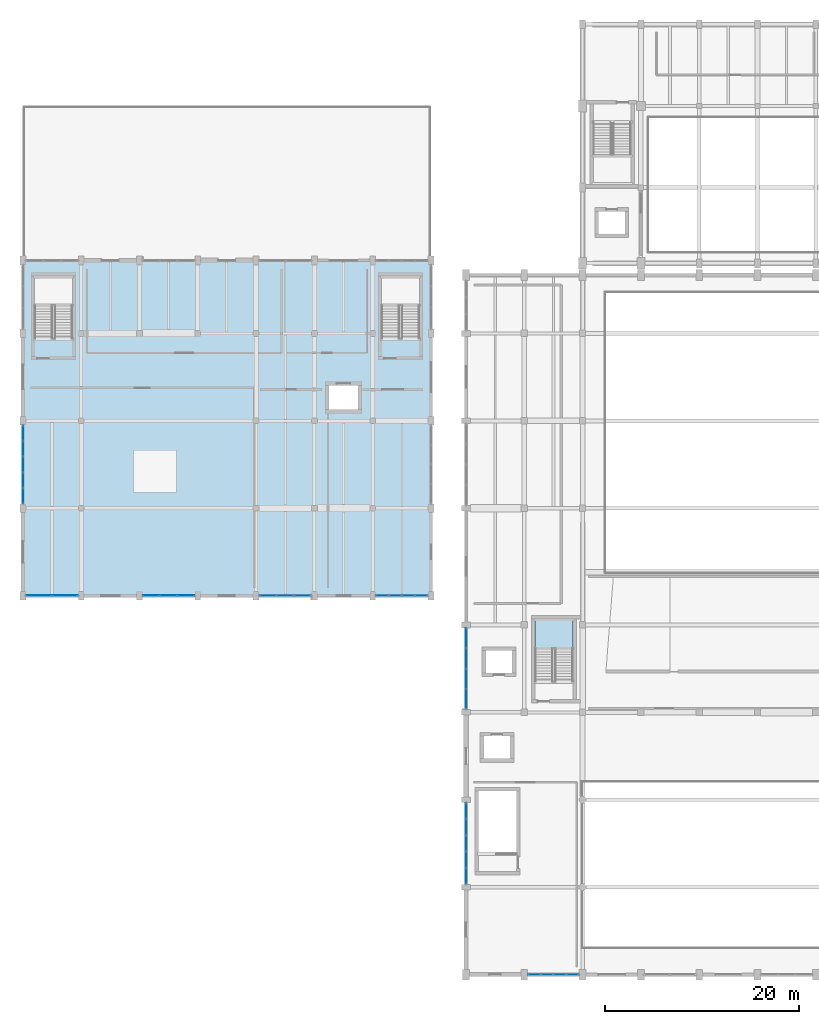
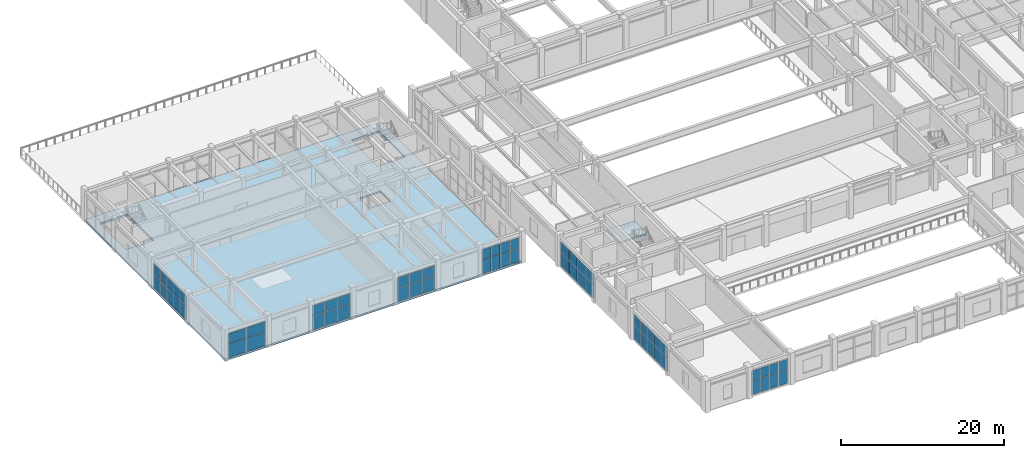
# One storey, part 51 of 80: 60 plates, 2 slabs, 9 elements without a shape of their own.
"""IFC4 building model written with IfcOpenShell, lengths in metres."""

from ifc_helpers import new_model, si_unit, direction, frame, origin, origin_2d, place, context, subcontext, project, spatial, polyline, rectangle, outline, extrude, material, layer, layer_set, type_object, element, aggregate, save


model = new_model("IFC4")

# Units and contexts
model_context = context("Model", 3, precision=1e-05, world=origin(), true_north=direction((0.0, 1.0)))
body_context = subcontext(model_context, "Body", "Model", "MODEL_VIEW")
ifc_project = project(units=[si_unit("LENGTHUNIT", "METRE"), si_unit("AREAUNIT", "SQUARE_METRE"), si_unit("VOLUMEUNIT", "CUBIC_METRE"), si_unit("PLANEANGLEUNIT", "RADIAN"), si_unit("MASSUNIT", "GRAM", prefix="KILO")], contexts=[model_context])

# Site, building, storey
site_placement = place(None, origin())
site = spatial("IfcSite", under=ifc_project, at=site_placement, CompositionType="ELEMENT")
building_placement = place(site_placement, origin())
building = spatial("IfcBuilding", under=site, at=building_placement, Name="Vaelkrest Opera House", CompositionType="ELEMENT")
storey_placement = place(building_placement, frame((0.0, 0.0, 15.0)))
storey = spatial("IfcBuildingStorey", under=building, at=storey_placement, Name="L03", CompositionType="ELEMENT", Elevation=15.0)

# Curtain wall, plates
ifc_material_1 = material(Name="Dark bronze anodized aluminium", Category="aluminium")
ifc_layer_1 = layer(ifc_material_1, 0.18994140625)
ifc_layer_set_1 = layer_set([ifc_layer_1], Name="Dark bronze anodized aluminium")
curtain_wall_type_1 = type_object("IfcCurtainWallType", Name="CW02", PredefinedType="NOTDEFINED", material=ifc_layer_set_1)
curtain_wall_1_placement = place(storey_placement, origin())
curtain_wall_1 = element("IfcCurtainWall", 1, at=curtain_wall_1_placement, inside=storey, type_object=curtain_wall_type_1, Name="Curtain wall CW-L03-046", PredefinedType="NOTDEFINED")
ifc_material_2 = material(Name="Double low-E insulated glazing", Category="glass")
ifc_layer_2 = layer(ifc_material_2, 0.030029296875)
ifc_layer_set_2 = layer_set([ifc_layer_2], Name="Double low-E insulated glazing")
plate_type_1 = type_object("IfcPlateType", Name="CWP02", PredefinedType="CURTAIN_PANEL", material=ifc_layer_set_2)
plate_1_placement = place(storey_placement, frame((-19.028564453125, -55.800048828125, 0.070068359375), z_axis=(0.0, 0.0, 1.0), x_axis=(-1.0, 0.0, 0.0)))
plate_1 = element("IfcPlate", 2, at=plate_1_placement, type_object=plate_type_1, Name="CW02 panel 1.1", PredefinedType="CURTAIN_PANEL", context=body_context, shape_type="SweptSolid", body=[
    extrude(rectangle(XDim=1.220947265625, YDim=0.030029296875, at=origin_2d()), origin(), (0.0, 0.0, 1.0), 2.044921875),
])
plate_2_placement = place(storey_placement, frame((-19.028564453125, -55.800048828125, 2.18505859375), z_axis=(0.0, 0.0, 1.0), x_axis=(-1.0, 0.0, 0.0)))
plate_2 = element("IfcPlate", 3, at=plate_2_placement, type_object=plate_type_1, Name="CW02 panel 1.2", PredefinedType="CURTAIN_PANEL", context=body_context, shape_type="SweptSolid", body=[
    extrude(rectangle(XDim=1.220947265625, YDim=0.030029296875, at=origin_2d()), origin(), (0.0, 0.0, 1.0), 1.489990234375),
])
plate_3_placement = place(storey_placement, frame((-20.3369140625, -55.800048828125, 0.070068359375), z_axis=(0.0, 0.0, 1.0), x_axis=(-1.0, 0.0, 0.0)))
plate_3 = element("IfcPlate", 4, at=plate_3_placement, type_object=plate_type_1, Name="CW02 panel 2.1", PredefinedType="CURTAIN_PANEL", context=body_context, shape_type="SweptSolid", body=[
    extrude(rectangle(XDim=1.256103515625, YDim=0.030029296875, at=origin_2d()), origin(), (0.0, 0.0, 1.0), 2.044921875),
])
plate_4_placement = place(storey_placement, frame((-20.3369140625, -55.800048828125, 2.18505859375), z_axis=(0.0, 0.0, 1.0), x_axis=(-1.0, 0.0, 0.0)))
plate_4 = element("IfcPlate", 5, at=plate_4_placement, type_object=plate_type_1, Name="CW02 panel 2.2", PredefinedType="CURTAIN_PANEL", context=body_context, shape_type="SweptSolid", body=[
    extrude(rectangle(XDim=1.256103515625, YDim=0.030029296875, at=origin_2d()), origin(), (0.0, 0.0, 1.0), 1.489990234375),
])
plate_5_placement = place(storey_placement, frame((-21.6630859375, -55.800048828125, 0.070068359375), z_axis=(0.0, 0.0, 1.0), x_axis=(-1.0, 0.0, 0.0)))
plate_5 = element("IfcPlate", 6, at=plate_5_placement, type_object=plate_type_1, Name="CW02 panel 3.1", PredefinedType="CURTAIN_PANEL", context=body_context, shape_type="SweptSolid", body=[
    extrude(rectangle(XDim=1.256103515625, YDim=0.030029296875, at=origin_2d()), origin(), (0.0, 0.0, 1.0), 2.044921875),
])
plate_6_placement = place(storey_placement, frame((-21.6630859375, -55.800048828125, 2.18505859375), z_axis=(0.0, 0.0, 1.0), x_axis=(-1.0, 0.0, 0.0)))
plate_6 = element("IfcPlate", 7, at=plate_6_placement, type_object=plate_type_1, Name="CW02 panel 3.2", PredefinedType="CURTAIN_PANEL", context=body_context, shape_type="SweptSolid", body=[
    extrude(rectangle(XDim=1.256103515625, YDim=0.030029296875, at=origin_2d()), origin(), (0.0, 0.0, 1.0), 1.489990234375),
])
plate_7_placement = place(storey_placement, frame((-22.971435546875, -55.800048828125, 0.070068359375), z_axis=(0.0, 0.0, 1.0), x_axis=(-1.0, 0.0, 0.0)))
plate_7 = element("IfcPlate", 8, at=plate_7_placement, type_object=plate_type_1, Name="CW02 panel 4.1", PredefinedType="CURTAIN_PANEL", context=body_context, shape_type="SweptSolid", body=[
    extrude(rectangle(XDim=1.220947265625, YDim=0.030029296875, at=origin_2d()), origin(), (0.0, 0.0, 1.0), 2.044921875),
])
plate_8_placement = place(storey_placement, frame((-22.971435546875, -55.800048828125, 2.18505859375), z_axis=(0.0, 0.0, 1.0), x_axis=(-1.0, 0.0, 0.0)))
plate_8 = element("IfcPlate", 9, at=plate_8_placement, type_object=plate_type_1, Name="CW02 panel 4.2", PredefinedType="CURTAIN_PANEL", context=body_context, shape_type="SweptSolid", body=[
    extrude(rectangle(XDim=1.220947265625, YDim=0.030029296875, at=origin_2d()), origin(), (0.0, 0.0, 1.0), 1.489990234375),
])
aggregate(curtain_wall_1, [plate_1, plate_2, plate_3, plate_4, plate_5, plate_6, plate_7, plate_8])

curtain_wall_2_placement = place(storey_placement, origin())
curtain_wall_2 = element("IfcCurtainWall", 10, at=curtain_wall_2_placement, inside=storey, type_object=curtain_wall_type_1, Name="Curtain wall CW-L03-125", PredefinedType="NOTDEFINED")
plate_9_placement = place(storey_placement, frame((-34.591064453125, -16.800048828125, 0.070068359375), z_axis=(0.0, 0.0, 1.0), x_axis=(-1.0, 0.0, 0.0)))
plate_9 = element("IfcPlate", 11, at=plate_9_placement, type_object=plate_type_1, Name="CW02 panel 1.1", PredefinedType="CURTAIN_PANEL", context=body_context, shape_type="SweptSolid", body=[
    extrude(rectangle(XDim=1.24609375, YDim=0.030029296875, at=origin_2d()), origin(), (0.0, 0.0, 1.0), 2.044921875),
])
plate_10_placement = place(storey_placement, frame((-34.591064453125, -16.800048828125, 2.18505859375), z_axis=(0.0, 0.0, 1.0), x_axis=(-1.0, 0.0, 0.0)))
plate_10 = element("IfcPlate", 12, at=plate_10_placement, type_object=plate_type_1, Name="CW02 panel 1.2", PredefinedType="CURTAIN_PANEL", context=body_context, shape_type="SweptSolid", body=[
    extrude(rectangle(XDim=1.24609375, YDim=0.030029296875, at=origin_2d()), origin(), (0.0, 0.0, 1.0), 1.489990234375),
])
plate_11_placement = place(storey_placement, frame((-35.924560546875, -16.800048828125, 0.070068359375), z_axis=(0.0, 0.0, 1.0), x_axis=(-1.0, 0.0, 0.0)))
plate_11 = element("IfcPlate", 13, at=plate_11_placement, type_object=plate_type_1, Name="CW02 panel 2.1", PredefinedType="CURTAIN_PANEL", context=body_context, shape_type="SweptSolid", body=[
    extrude(rectangle(XDim=1.281005859375, YDim=0.030029296875, at=origin_2d()), origin(), (0.0, 0.0, 1.0), 2.044921875),
])
plate_12_placement = place(storey_placement, frame((-35.924560546875, -16.800048828125, 2.18505859375), z_axis=(0.0, 0.0, 1.0), x_axis=(-1.0, 0.0, 0.0)))
plate_12 = element("IfcPlate", 14, at=plate_12_placement, type_object=plate_type_1, Name="CW02 panel 2.2", PredefinedType="CURTAIN_PANEL", context=body_context, shape_type="SweptSolid", body=[
    extrude(rectangle(XDim=1.281005859375, YDim=0.030029296875, at=origin_2d()), origin(), (0.0, 0.0, 1.0), 1.489990234375),
])
plate_13_placement = place(storey_placement, frame((-37.275390625, -16.800048828125, 0.070068359375), z_axis=(0.0, 0.0, 1.0), x_axis=(-1.0, 0.0, 0.0)))
plate_13 = element("IfcPlate", 15, at=plate_13_placement, type_object=plate_type_1, Name="CW02 panel 3.1", PredefinedType="CURTAIN_PANEL", context=body_context, shape_type="SweptSolid", body=[
    extrude(rectangle(XDim=1.281005859375, YDim=0.030029296875, at=origin_2d()), origin(), (0.0, 0.0, 1.0), 2.044921875),
])
plate_14_placement = place(storey_placement, frame((-37.275390625, -16.800048828125, 2.18505859375), z_axis=(0.0, 0.0, 1.0), x_axis=(-1.0, 0.0, 0.0)))
plate_14 = element("IfcPlate", 16, at=plate_14_placement, type_object=plate_type_1, Name="CW02 panel 3.2", PredefinedType="CURTAIN_PANEL", context=body_context, shape_type="SweptSolid", body=[
    extrude(rectangle(XDim=1.281005859375, YDim=0.030029296875, at=origin_2d()), origin(), (0.0, 0.0, 1.0), 1.489990234375),
])
plate_15_placement = place(storey_placement, frame((-38.60888671875, -16.800048828125, 0.070068359375), z_axis=(0.0, 0.0, 1.0), x_axis=(-1.0, 0.0, 0.0)))
plate_15 = element("IfcPlate", 17, at=plate_15_placement, type_object=plate_type_1, Name="CW02 panel 4.1", PredefinedType="CURTAIN_PANEL", context=body_context, shape_type="SweptSolid", body=[
    extrude(rectangle(XDim=1.24609375, YDim=0.030029296875, at=origin_2d()), origin(), (0.0, 0.0, 1.0), 2.044921875),
])
plate_16_placement = place(storey_placement, frame((-38.60888671875, -16.800048828125, 2.18505859375), z_axis=(0.0, 0.0, 1.0), x_axis=(-1.0, 0.0, 0.0)))
plate_16 = element("IfcPlate", 18, at=plate_16_placement, type_object=plate_type_1, Name="CW02 panel 4.2", PredefinedType="CURTAIN_PANEL", context=body_context, shape_type="SweptSolid", body=[
    extrude(rectangle(XDim=1.24609375, YDim=0.030029296875, at=origin_2d()), origin(), (0.0, 0.0, 1.0), 1.489990234375),
])
aggregate(curtain_wall_2, [plate_9, plate_10, plate_11, plate_12, plate_13, plate_14, plate_15, plate_16])

ifc_layer_3 = layer(ifc_material_1, 0.2099609375)
ifc_layer_set_3 = layer_set([ifc_layer_3], Name="Dark bronze anodized aluminium")
curtain_wall_type_2 = type_object("IfcCurtainWallType", Name="CW04", PredefinedType="NOTDEFINED", material=ifc_layer_set_3)
curtain_wall_3_placement = place(storey_placement, origin())
curtain_wall_3 = element("IfcCurtainWall", 19, at=curtain_wall_3_placement, inside=storey, type_object=curtain_wall_type_2, Name="Curtain wall CW-L03-047", PredefinedType="NOTDEFINED")
ifc_layer_4 = layer(ifc_material_2, 0.0380859375)
ifc_layer_set_4 = layer_set([ifc_layer_4], Name="Double low-E insulated glazing")
plate_type_2 = type_object("IfcPlateType", Name="CWP04", PredefinedType="CURTAIN_PANEL", material=ifc_layer_set_4)
plate_17_placement = place(storey_placement, frame((-30.0, -45.6416015625, 0.080078125), z_axis=(0.0, 0.0, 1.0), x_axis=(0.0, 1.0, 0.0)))
plate_17 = element("IfcPlate", 20, at=plate_17_placement, type_object=plate_type_2, Name="CW04 panel 1.1", PredefinedType="CURTAIN_PANEL", context=body_context, shape_type="SweptSolid", body=[
    extrude(rectangle(XDim=1.560791015625, YDim=0.0380859375, at=origin_2d()), origin(), (0.0, 0.0, 1.0), 2.030029296875),
])
plate_18_placement = place(storey_placement, frame((-30.0, -45.6416015625, 2.18994140625), z_axis=(0.0, 0.0, 1.0), x_axis=(0.0, 1.0, 0.0)))
plate_18 = element("IfcPlate", 21, at=plate_18_placement, type_object=plate_type_2, Name="CW04 panel 1.2", PredefinedType="CURTAIN_PANEL", context=body_context, shape_type="SweptSolid", body=[
    extrude(rectangle(XDim=1.560791015625, YDim=0.0380859375, at=origin_2d()), origin(), (0.0, 0.0, 1.0), 1.55908203125),
])
plate_19_placement = place(storey_placement, frame((-30.0, -43.980712890625, 0.080078125), z_axis=(0.0, 0.0, 1.0), x_axis=(0.0, 1.0, 0.0)))
plate_19 = element("IfcPlate", 22, at=plate_19_placement, type_object=plate_type_2, Name="CW04 panel 2.1", PredefinedType="CURTAIN_PANEL", context=body_context, shape_type="SweptSolid", body=[
    extrude(rectangle(XDim=1.600830078125, YDim=0.0380859375, at=origin_2d()), origin(), (0.0, 0.0, 1.0), 2.030029296875),
])
plate_20_placement = place(storey_placement, frame((-30.0, -43.980712890625, 2.18994140625), z_axis=(0.0, 0.0, 1.0), x_axis=(0.0, 1.0, 0.0)))
plate_20 = element("IfcPlate", 23, at=plate_20_placement, type_object=plate_type_2, Name="CW04 panel 2.2", PredefinedType="CURTAIN_PANEL", context=body_context, shape_type="SweptSolid", body=[
    extrude(rectangle(XDim=1.600830078125, YDim=0.0380859375, at=origin_2d()), origin(), (0.0, 0.0, 1.0), 1.55908203125),
])
plate_21_placement = place(storey_placement, frame((-30.0, -42.300048828125, 0.080078125), z_axis=(0.0, 0.0, 1.0), x_axis=(0.0, 1.0, 0.0)))
plate_21 = element("IfcPlate", 24, at=plate_21_placement, type_object=plate_type_2, Name="CW04 panel 3.1", PredefinedType="CURTAIN_PANEL", context=body_context, shape_type="SweptSolid", body=[
    extrude(rectangle(XDim=1.600830078125, YDim=0.0380859375, at=origin_2d()), origin(), (0.0, 0.0, 1.0), 2.030029296875),
])
plate_22_placement = place(storey_placement, frame((-30.0, -42.300048828125, 2.18994140625), z_axis=(0.0, 0.0, 1.0), x_axis=(0.0, 1.0, 0.0)))
plate_22 = element("IfcPlate", 25, at=plate_22_placement, type_object=plate_type_2, Name="CW04 panel 3.2", PredefinedType="CURTAIN_PANEL", context=body_context, shape_type="SweptSolid", body=[
    extrude(rectangle(XDim=1.600830078125, YDim=0.0380859375, at=origin_2d()), origin(), (0.0, 0.0, 1.0), 1.55908203125),
])
plate_23_placement = place(storey_placement, frame((-30.0, -40.619140625, 0.080078125), z_axis=(0.0, 0.0, 1.0), x_axis=(0.0, 1.0, 0.0)))
plate_23 = element("IfcPlate", 26, at=plate_23_placement, type_object=plate_type_2, Name="CW04 panel 4.1", PredefinedType="CURTAIN_PANEL", context=body_context, shape_type="SweptSolid", body=[
    extrude(rectangle(XDim=1.600830078125, YDim=0.0380859375, at=origin_2d()), origin(), (0.0, 0.0, 1.0), 2.030029296875),
])
plate_24_placement = place(storey_placement, frame((-30.0, -40.619140625, 2.18994140625), z_axis=(0.0, 0.0, 1.0), x_axis=(0.0, 1.0, 0.0)))
plate_24 = element("IfcPlate", 27, at=plate_24_placement, type_object=plate_type_2, Name="CW04 panel 4.2", PredefinedType="CURTAIN_PANEL", context=body_context, shape_type="SweptSolid", body=[
    extrude(rectangle(XDim=1.600830078125, YDim=0.0380859375, at=origin_2d()), origin(), (0.0, 0.0, 1.0), 1.55908203125),
])
plate_25_placement = place(storey_placement, frame((-30.0, -38.95849609375, 0.080078125), z_axis=(0.0, 0.0, 1.0), x_axis=(0.0, 1.0, 0.0)))
plate_25 = element("IfcPlate", 28, at=plate_25_placement, type_object=plate_type_2, Name="CW04 panel 5.1", PredefinedType="CURTAIN_PANEL", context=body_context, shape_type="SweptSolid", body=[
    extrude(rectangle(XDim=1.560791015625, YDim=0.0380859375, at=origin_2d()), origin(), (0.0, 0.0, 1.0), 2.030029296875),
])
plate_26_placement = place(storey_placement, frame((-30.0, -38.95849609375, 2.18994140625), z_axis=(0.0, 0.0, 1.0), x_axis=(0.0, 1.0, 0.0)))
plate_26 = element("IfcPlate", 29, at=plate_26_placement, type_object=plate_type_2, Name="CW04 panel 5.2", PredefinedType="CURTAIN_PANEL", context=body_context, shape_type="SweptSolid", body=[
    extrude(rectangle(XDim=1.560791015625, YDim=0.0380859375, at=origin_2d()), origin(), (0.0, 0.0, 1.0), 1.55908203125),
])
aggregate(curtain_wall_3, [plate_17, plate_18, plate_19, plate_20, plate_21, plate_22, plate_23, plate_24, plate_25, plate_26])

curtain_wall_4_placement = place(storey_placement, origin())
curtain_wall_4 = element("IfcCurtainWall", 30, at=curtain_wall_4_placement, inside=storey, type_object=curtain_wall_type_2, Name="Curtain wall CW-L03-126", PredefinedType="NOTDEFINED")
plate_27_placement = place(storey_placement, frame((-46.818603515625, -16.800048828125, 0.080078125), z_axis=(0.0, 0.0, 1.0), x_axis=(-1.0, 0.0, 0.0)))
plate_27 = element("IfcPlate", 31, at=plate_27_placement, type_object=plate_type_2, Name="CW04 panel 1.1", PredefinedType="CURTAIN_PANEL", context=body_context, shape_type="SweptSolid", body=[
    extrude(rectangle(XDim=1.681396484375, YDim=0.0380859375, at=origin_2d()), origin(), (0.0, 0.0, 1.0), 2.030029296875),
])
plate_28_placement = place(storey_placement, frame((-46.818603515625, -16.800048828125, 2.18994140625), z_axis=(0.0, 0.0, 1.0), x_axis=(-1.0, 0.0, 0.0)))
plate_28 = element("IfcPlate", 32, at=plate_28_placement, type_object=plate_type_2, Name="CW04 panel 1.2", PredefinedType="CURTAIN_PANEL", context=body_context, shape_type="SweptSolid", body=[
    extrude(rectangle(XDim=1.681396484375, YDim=0.0380859375, at=origin_2d()), origin(), (0.0, 0.0, 1.0), 1.47509765625),
])
plate_29_placement = place(storey_placement, frame((-48.60009765625, -16.800048828125, 0.080078125), z_axis=(0.0, 0.0, 1.0), x_axis=(-1.0, 0.0, 0.0)))
plate_29 = element("IfcPlate", 33, at=plate_29_placement, type_object=plate_type_2, Name="CW04 panel 2.1", PredefinedType="CURTAIN_PANEL", context=body_context, shape_type="SweptSolid", body=[
    extrude(rectangle(XDim=1.721435546875, YDim=0.0380859375, at=origin_2d()), origin(), (0.0, 0.0, 1.0), 2.030029296875),
])
plate_30_placement = place(storey_placement, frame((-48.60009765625, -16.800048828125, 2.18994140625), z_axis=(0.0, 0.0, 1.0), x_axis=(-1.0, 0.0, 0.0)))
plate_30 = element("IfcPlate", 34, at=plate_30_placement, type_object=plate_type_2, Name="CW04 panel 2.2", PredefinedType="CURTAIN_PANEL", context=body_context, shape_type="SweptSolid", body=[
    extrude(rectangle(XDim=1.721435546875, YDim=0.0380859375, at=origin_2d()), origin(), (0.0, 0.0, 1.0), 1.47509765625),
])
plate_31_placement = place(storey_placement, frame((-50.38134765625, -16.800048828125, 0.080078125), z_axis=(0.0, 0.0, 1.0), x_axis=(-1.0, 0.0, 0.0)))
plate_31 = element("IfcPlate", 35, at=plate_31_placement, type_object=plate_type_2, Name="CW04 panel 3.1", PredefinedType="CURTAIN_PANEL", context=body_context, shape_type="SweptSolid", body=[
    extrude(rectangle(XDim=1.681396484375, YDim=0.0380859375, at=origin_2d()), origin(), (0.0, 0.0, 1.0), 2.030029296875),
])
plate_32_placement = place(storey_placement, frame((-50.38134765625, -16.800048828125, 2.18994140625), z_axis=(0.0, 0.0, 1.0), x_axis=(-1.0, 0.0, 0.0)))
plate_32 = element("IfcPlate", 36, at=plate_32_placement, type_object=plate_type_2, Name="CW04 panel 3.2", PredefinedType="CURTAIN_PANEL", context=body_context, shape_type="SweptSolid", body=[
    extrude(rectangle(XDim=1.681396484375, YDim=0.0380859375, at=origin_2d()), origin(), (0.0, 0.0, 1.0), 1.47509765625),
])
aggregate(curtain_wall_4, [plate_27, plate_28, plate_29, plate_30, plate_31, plate_32])

curtain_wall_5_placement = place(storey_placement, origin())
curtain_wall_5 = element("IfcCurtainWall", 37, at=curtain_wall_5_placement, inside=storey, type_object=curtain_wall_type_2, Name="Curtain wall CW-L03-129", PredefinedType="NOTDEFINED")
plate_33_placement = place(storey_placement, frame((-75.60009765625, -6.521484375, 0.080078125), z_axis=(0.0, 0.0, 1.0), x_axis=(0.0, 1.0, 0.0)))
plate_33 = element("IfcPlate", 38, at=plate_33_placement, type_object=plate_type_2, Name="CW04 panel 1.1", PredefinedType="CURTAIN_PANEL", context=body_context, shape_type="SweptSolid", body=[
    extrude(rectangle(XDim=1.500732421875, YDim=0.0380859375, at=origin_2d()), origin(), (0.0, 0.0, 1.0), 2.030029296875),
])
plate_34_placement = place(storey_placement, frame((-75.60009765625, -6.521484375, 2.18994140625), z_axis=(0.0, 0.0, 1.0), x_axis=(0.0, 1.0, 0.0)))
plate_34 = element("IfcPlate", 39, at=plate_34_placement, type_object=plate_type_2, Name="CW04 panel 1.2", PredefinedType="CURTAIN_PANEL", context=body_context, shape_type="SweptSolid", body=[
    extrude(rectangle(XDim=1.500732421875, YDim=0.0380859375, at=origin_2d()), origin(), (0.0, 0.0, 1.0), 1.55908203125),
])
plate_35_placement = place(storey_placement, frame((-75.60009765625, -4.9208984375, 0.080078125), z_axis=(0.0, 0.0, 1.0), x_axis=(0.0, 1.0, 0.0)))
plate_35 = element("IfcPlate", 40, at=plate_35_placement, type_object=plate_type_2, Name="CW04 panel 2.1", PredefinedType="CURTAIN_PANEL", context=body_context, shape_type="SweptSolid", body=[
    extrude(rectangle(XDim=1.540771484375, YDim=0.0380859375, at=origin_2d()), origin(), (0.0, 0.0, 1.0), 2.030029296875),
])
plate_36_placement = place(storey_placement, frame((-75.60009765625, -4.9208984375, 2.18994140625), z_axis=(0.0, 0.0, 1.0), x_axis=(0.0, 1.0, 0.0)))
plate_36 = element("IfcPlate", 41, at=plate_36_placement, type_object=plate_type_2, Name="CW04 panel 2.2", PredefinedType="CURTAIN_PANEL", context=body_context, shape_type="SweptSolid", body=[
    extrude(rectangle(XDim=1.540771484375, YDim=0.0380859375, at=origin_2d()), origin(), (0.0, 0.0, 1.0), 1.55908203125),
])
plate_37_placement = place(storey_placement, frame((-75.60009765625, -3.300048828125, 0.080078125), z_axis=(0.0, 0.0, 1.0), x_axis=(0.0, 1.0, 0.0)))
plate_37 = element("IfcPlate", 42, at=plate_37_placement, type_object=plate_type_2, Name="CW04 panel 3.1", PredefinedType="CURTAIN_PANEL", context=body_context, shape_type="SweptSolid", body=[
    extrude(rectangle(XDim=1.540771484375, YDim=0.0380859375, at=origin_2d()), origin(), (0.0, 0.0, 1.0), 2.030029296875),
])
plate_38_placement = place(storey_placement, frame((-75.60009765625, -3.300048828125, 2.18994140625), z_axis=(0.0, 0.0, 1.0), x_axis=(0.0, 1.0, 0.0)))
plate_38 = element("IfcPlate", 43, at=plate_38_placement, type_object=plate_type_2, Name="CW04 panel 3.2", PredefinedType="CURTAIN_PANEL", context=body_context, shape_type="SweptSolid", body=[
    extrude(rectangle(XDim=1.540771484375, YDim=0.0380859375, at=origin_2d()), origin(), (0.0, 0.0, 1.0), 1.55908203125),
])
plate_39_placement = place(storey_placement, frame((-75.60009765625, -1.67919921875, 0.080078125), z_axis=(0.0, 0.0, 1.0), x_axis=(0.0, 1.0, 0.0)))
plate_39 = element("IfcPlate", 44, at=plate_39_placement, type_object=plate_type_2, Name="CW04 panel 4.1", PredefinedType="CURTAIN_PANEL", context=body_context, shape_type="SweptSolid", body=[
    extrude(rectangle(XDim=1.540771484375, YDim=0.0380859375, at=origin_2d()), origin(), (0.0, 0.0, 1.0), 2.030029296875),
])
plate_40_placement = place(storey_placement, frame((-75.60009765625, -1.67919921875, 2.18994140625), z_axis=(0.0, 0.0, 1.0), x_axis=(0.0, 1.0, 0.0)))
plate_40 = element("IfcPlate", 45, at=plate_40_placement, type_object=plate_type_2, Name="CW04 panel 4.2", PredefinedType="CURTAIN_PANEL", context=body_context, shape_type="SweptSolid", body=[
    extrude(rectangle(XDim=1.540771484375, YDim=0.0380859375, at=origin_2d()), origin(), (0.0, 0.0, 1.0), 1.55908203125),
])
plate_41_placement = place(storey_placement, frame((-75.60009765625, -0.078369140625, 0.080078125), z_axis=(0.0, 0.0, 1.0), x_axis=(0.0, 1.0, 0.0)))
plate_41 = element("IfcPlate", 46, at=plate_41_placement, type_object=plate_type_2, Name="CW04 panel 5.1", PredefinedType="CURTAIN_PANEL", context=body_context, shape_type="SweptSolid", body=[
    extrude(rectangle(XDim=1.500732421875, YDim=0.0380859375, at=origin_2d()), origin(), (0.0, 0.0, 1.0), 2.030029296875),
])
plate_42_placement = place(storey_placement, frame((-75.60009765625, -0.078369140625, 2.18994140625), z_axis=(0.0, 0.0, 1.0), x_axis=(0.0, 1.0, 0.0)))
plate_42 = element("IfcPlate", 47, at=plate_42_placement, type_object=plate_type_2, Name="CW04 panel 5.2", PredefinedType="CURTAIN_PANEL", context=body_context, shape_type="SweptSolid", body=[
    extrude(rectangle(XDim=1.500732421875, YDim=0.0380859375, at=origin_2d()), origin(), (0.0, 0.0, 1.0), 1.55908203125),
])
aggregate(curtain_wall_5, [plate_33, plate_34, plate_35, plate_36, plate_37, plate_38, plate_39, plate_40, plate_41, plate_42])

ifc_layer_5 = layer(ifc_material_1, 0.22998046875)
ifc_layer_set_5 = layer_set([ifc_layer_5], Name="Dark bronze anodized aluminium")
curtain_wall_type_3 = type_object("IfcCurtainWallType", Name="CW06", PredefinedType="NOTDEFINED", material=ifc_layer_set_5)
curtain_wall_6_placement = place(storey_placement, origin())
curtain_wall_6 = element("IfcCurtainWall", 48, at=curtain_wall_6_placement, inside=storey, type_object=curtain_wall_type_3, Name="Curtain wall CW-L03-048", PredefinedType="NOTDEFINED")
ifc_material_3 = material(Name="Dark bronze anodized aluminium spandrel", Category="aluminium")
ifc_layer_6 = layer(ifc_material_3, 0.0458984375)
ifc_layer_set_6 = layer_set([ifc_layer_6], Name="Dark bronze anodized aluminium spandrel")
plate_type_3 = type_object("IfcPlateType", Name="CWP06", PredefinedType="CURTAIN_PANEL", material=ifc_layer_set_6)
plate_43_placement = place(storey_placement, frame((-30.0, -27.43408203125, 0.080078125), z_axis=(0.0, 0.0, 1.0), x_axis=(0.0, 1.0, 0.0)))
plate_43 = element("IfcPlate", 49, at=plate_43_placement, type_object=plate_type_3, Name="CW06 panel 1.1", PredefinedType="CURTAIN_PANEL", context=body_context, shape_type="SweptSolid", body=[
    extrude(rectangle(XDim=1.99609375, YDim=0.0458984375, at=origin_2d()), origin(), (0.0, 0.0, 1.0), 2.030029296875),
])
plate_44_placement = place(storey_placement, frame((-30.0, -27.43408203125, 2.18994140625), z_axis=(0.0, 0.0, 1.0), x_axis=(0.0, 1.0, 0.0)))
plate_44 = element("IfcPlate", 50, at=plate_44_placement, type_object=plate_type_3, Name="CW06 panel 1.2", PredefinedType="CURTAIN_PANEL", context=body_context, shape_type="SweptSolid", body=[
    extrude(rectangle(XDim=1.99609375, YDim=0.0458984375, at=origin_2d()), origin(), (0.0, 0.0, 1.0), 1.55908203125),
])
plate_45_placement = place(storey_placement, frame((-30.0, -25.3505859375, 0.080078125), z_axis=(0.0, 0.0, 1.0), x_axis=(0.0, 1.0, 0.0)))
plate_45 = element("IfcPlate", 51, at=plate_45_placement, type_object=plate_type_3, Name="CW06 panel 2.1", PredefinedType="CURTAIN_PANEL", context=body_context, shape_type="SweptSolid", body=[
    extrude(rectangle(XDim=2.031005859375, YDim=0.0458984375, at=origin_2d()), origin(), (0.0, 0.0, 1.0), 2.030029296875),
])
plate_46_placement = place(storey_placement, frame((-30.0, -25.3505859375, 2.18994140625), z_axis=(0.0, 0.0, 1.0), x_axis=(0.0, 1.0, 0.0)))
plate_46 = element("IfcPlate", 52, at=plate_46_placement, type_object=plate_type_3, Name="CW06 panel 2.2", PredefinedType="CURTAIN_PANEL", context=body_context, shape_type="SweptSolid", body=[
    extrude(rectangle(XDim=2.031005859375, YDim=0.0458984375, at=origin_2d()), origin(), (0.0, 0.0, 1.0), 1.55908203125),
])
plate_47_placement = place(storey_placement, frame((-30.0, -23.24951171875, 0.080078125), z_axis=(0.0, 0.0, 1.0), x_axis=(0.0, 1.0, 0.0)))
plate_47 = element("IfcPlate", 53, at=plate_47_placement, type_object=plate_type_3, Name="CW06 panel 3.1", PredefinedType="CURTAIN_PANEL", context=body_context, shape_type="SweptSolid", body=[
    extrude(rectangle(XDim=2.031005859375, YDim=0.0458984375, at=origin_2d()), origin(), (0.0, 0.0, 1.0), 2.030029296875),
])
plate_48_placement = place(storey_placement, frame((-30.0, -23.24951171875, 2.18994140625), z_axis=(0.0, 0.0, 1.0), x_axis=(0.0, 1.0, 0.0)))
plate_48 = element("IfcPlate", 54, at=plate_48_placement, type_object=plate_type_3, Name="CW06 panel 3.2", PredefinedType="CURTAIN_PANEL", context=body_context, shape_type="SweptSolid", body=[
    extrude(rectangle(XDim=2.031005859375, YDim=0.0458984375, at=origin_2d()), origin(), (0.0, 0.0, 1.0), 1.55908203125),
])
plate_49_placement = place(storey_placement, frame((-30.0, -21.166015625, 0.080078125), z_axis=(0.0, 0.0, 1.0), x_axis=(0.0, 1.0, 0.0)))
plate_49 = element("IfcPlate", 55, at=plate_49_placement, type_object=plate_type_3, Name="CW06 panel 4.1", PredefinedType="CURTAIN_PANEL", context=body_context, shape_type="SweptSolid", body=[
    extrude(rectangle(XDim=1.99609375, YDim=0.0458984375, at=origin_2d()), origin(), (0.0, 0.0, 1.0), 2.030029296875),
])
plate_50_placement = place(storey_placement, frame((-30.0, -21.166015625, 2.18994140625), z_axis=(0.0, 0.0, 1.0), x_axis=(0.0, 1.0, 0.0)))
plate_50 = element("IfcPlate", 56, at=plate_50_placement, type_object=plate_type_3, Name="CW06 panel 4.2", PredefinedType="CURTAIN_PANEL", context=body_context, shape_type="SweptSolid", body=[
    extrude(rectangle(XDim=1.99609375, YDim=0.0458984375, at=origin_2d()), origin(), (0.0, 0.0, 1.0), 1.55908203125),
])
aggregate(curtain_wall_6, [plate_43, plate_44, plate_45, plate_46, plate_47, plate_48, plate_49, plate_50])

curtain_wall_7_placement = place(storey_placement, origin())
curtain_wall_7 = element("IfcCurtainWall", 57, at=curtain_wall_7_placement, inside=storey, type_object=curtain_wall_type_3, Name="Curtain wall CW-L03-127", PredefinedType="NOTDEFINED")
plate_51_placement = place(storey_placement, frame((-58.816162109375, -16.800048828125, 0.080078125), z_axis=(0.0, 0.0, 1.0), x_axis=(-1.0, 0.0, 0.0)))
plate_51 = element("IfcPlate", 58, at=plate_51_placement, type_object=plate_type_3, Name="CW06 panel 1.1", PredefinedType="CURTAIN_PANEL", context=body_context, shape_type="SweptSolid", body=[
    extrude(rectangle(XDim=1.6962890625, YDim=0.0458984375, at=origin_2d()), origin(), (0.0, 0.0, 1.0), 2.030029296875),
])
plate_52_placement = place(storey_placement, frame((-58.816162109375, -16.800048828125, 2.18994140625), z_axis=(0.0, 0.0, 1.0), x_axis=(-1.0, 0.0, 0.0)))
plate_52 = element("IfcPlate", 59, at=plate_52_placement, type_object=plate_type_3, Name="CW06 panel 1.2", PredefinedType="CURTAIN_PANEL", context=body_context, shape_type="SweptSolid", body=[
    extrude(rectangle(XDim=1.6962890625, YDim=0.0458984375, at=origin_2d()), origin(), (0.0, 0.0, 1.0), 1.47509765625),
])
plate_53_placement = place(storey_placement, frame((-60.60009765625, -16.800048828125, 0.080078125), z_axis=(0.0, 0.0, 1.0), x_axis=(-1.0, 0.0, 0.0)))
plate_53 = element("IfcPlate", 60, at=plate_53_placement, type_object=plate_type_3, Name="CW06 panel 2.1", PredefinedType="CURTAIN_PANEL", context=body_context, shape_type="SweptSolid", body=[
    extrude(rectangle(XDim=1.7314453125, YDim=0.0458984375, at=origin_2d()), origin(), (0.0, 0.0, 1.0), 2.030029296875),
])
plate_54_placement = place(storey_placement, frame((-60.60009765625, -16.800048828125, 2.18994140625), z_axis=(0.0, 0.0, 1.0), x_axis=(-1.0, 0.0, 0.0)))
plate_54 = element("IfcPlate", 61, at=plate_54_placement, type_object=plate_type_3, Name="CW06 panel 2.2", PredefinedType="CURTAIN_PANEL", context=body_context, shape_type="SweptSolid", body=[
    extrude(rectangle(XDim=1.7314453125, YDim=0.0458984375, at=origin_2d()), origin(), (0.0, 0.0, 1.0), 1.47509765625),
])
plate_55_placement = place(storey_placement, frame((-62.3837890625, -16.800048828125, 0.080078125), z_axis=(0.0, 0.0, 1.0), x_axis=(-1.0, 0.0, 0.0)))
plate_55 = element("IfcPlate", 62, at=plate_55_placement, type_object=plate_type_3, Name="CW06 panel 3.1", PredefinedType="CURTAIN_PANEL", context=body_context, shape_type="SweptSolid", body=[
    extrude(rectangle(XDim=1.6962890625, YDim=0.0458984375, at=origin_2d()), origin(), (0.0, 0.0, 1.0), 2.030029296875),
])
plate_56_placement = place(storey_placement, frame((-62.3837890625, -16.800048828125, 2.18994140625), z_axis=(0.0, 0.0, 1.0), x_axis=(-1.0, 0.0, 0.0)))
plate_56 = element("IfcPlate", 63, at=plate_56_placement, type_object=plate_type_3, Name="CW06 panel 3.2", PredefinedType="CURTAIN_PANEL", context=body_context, shape_type="SweptSolid", body=[
    extrude(rectangle(XDim=1.6962890625, YDim=0.0458984375, at=origin_2d()), origin(), (0.0, 0.0, 1.0), 1.47509765625),
])
aggregate(curtain_wall_7, [plate_51, plate_52, plate_53, plate_54, plate_55, plate_56])

ifc_layer_7 = layer(ifc_material_1, 0.25)
ifc_layer_set_7 = layer_set([ifc_layer_7], Name="Dark bronze anodized aluminium")
curtain_wall_type_4 = type_object("IfcCurtainWallType", Name="CW08", PredefinedType="NOTDEFINED", material=ifc_layer_set_7)
curtain_wall_8_placement = place(storey_placement, origin())
curtain_wall_8 = element("IfcCurtainWall", 64, at=curtain_wall_8_placement, inside=storey, type_object=curtain_wall_type_4, Name="Curtain wall CW-L03-128", PredefinedType="NOTDEFINED")
ifc_layer_8 = layer(ifc_material_3, 0.05810546875)
ifc_layer_set_8 = layer_set([ifc_layer_8], Name="Dark bronze anodized aluminium spandrel")
plate_type_4 = type_object("IfcPlateType", Name="CWP08", PredefinedType="CURTAIN_PANEL", material=ifc_layer_set_8)
plate_57_placement = place(storey_placement, frame((-71.26904296875, -16.800048828125, 0.070068359375), z_axis=(0.0, 0.0, 1.0), x_axis=(-1.0, 0.0, 0.0)))
plate_57 = element("IfcPlate", 65, at=plate_57_placement, type_object=plate_type_4, Name="CW08 panel 1.1", PredefinedType="CURTAIN_PANEL", context=body_context, shape_type="SweptSolid", body=[
    extrude(rectangle(XDim=2.58203125, YDim=0.05810546875, at=origin_2d()), origin(), (0.0, 0.0, 1.0), 2.044921875),
])
plate_58_placement = place(storey_placement, frame((-71.26904296875, -16.800048828125, 2.18505859375), z_axis=(0.0, 0.0, 1.0), x_axis=(-1.0, 0.0, 0.0)))
plate_58 = element("IfcPlate", 66, at=plate_58_placement, type_object=plate_type_4, Name="CW08 panel 1.2", PredefinedType="CURTAIN_PANEL", context=body_context, shape_type="SweptSolid", body=[
    extrude(rectangle(XDim=2.58203125, YDim=0.05810546875, at=origin_2d()), origin(), (0.0, 0.0, 1.0), 1.489990234375),
])
plate_59_placement = place(storey_placement, frame((-73.930908203125, -16.800048828125, 0.070068359375), z_axis=(0.0, 0.0, 1.0), x_axis=(-1.0, 0.0, 0.0)))
plate_59 = element("IfcPlate", 67, at=plate_59_placement, type_object=plate_type_4, Name="CW08 panel 2.1", PredefinedType="CURTAIN_PANEL", context=body_context, shape_type="SweptSolid", body=[
    extrude(rectangle(XDim=2.58203125, YDim=0.05810546875, at=origin_2d()), origin(), (0.0, 0.0, 1.0), 2.044921875),
])
plate_60_placement = place(storey_placement, frame((-73.930908203125, -16.800048828125, 2.18505859375), z_axis=(0.0, 0.0, 1.0), x_axis=(-1.0, 0.0, 0.0)))
plate_60 = element("IfcPlate", 68, at=plate_60_placement, type_object=plate_type_4, Name="CW08 panel 2.2", PredefinedType="CURTAIN_PANEL", context=body_context, shape_type="SweptSolid", body=[
    extrude(rectangle(XDim=2.58203125, YDim=0.05810546875, at=origin_2d()), origin(), (0.0, 0.0, 1.0), 1.489990234375),
])
aggregate(curtain_wall_8, [plate_57, plate_58, plate_59, plate_60])

# Slab
ifc_material_4 = material(Name="Concrete C40/50", Category="concrete")
ifc_layer_9 = layer(ifc_material_4, 0.264892578125)
ifc_layer_set_9 = layer_set([ifc_layer_9], Name="Concrete C40/50")
slab_type_1 = type_object("IfcSlabType", Name="FS02", PredefinedType="FLOOR", material=ifc_layer_set_9)
slab_1_placement = place(storey_placement, frame((0.0, 0.0, -0.264892578125)))
element("IfcSlab", 69, at=slab_1_placement, inside=storey, type_object=slab_type_1, Name="Floor slab SLB-V3-L03-022", PredefinedType="FLOOR", context=body_context, shape_type="SweptSolid", body=[
    extrude(outline(polyline([(-75.60009765625, -16.800048828125), (-33.60009765625, -16.800048828125), (-33.60009765625, 17.699951171875), (-75.60009765625, 17.699951171875), (-75.60009765625, -16.800048828125)]), holes=[polyline([(-70.5, 9.64990234375), (-70.5, 16.10009765625), (-74.39990234375, 16.10009765625), (-74.39990234375, 9.64990234375), (-70.5, 9.64990234375)]), polyline([(-34.800048828125, 9.64990234375), (-34.800048828125, 16.10009765625), (-38.699951171875, 16.10009765625), (-38.699951171875, 9.64990234375), (-34.800048828125, 9.64990234375)]), polyline([(-44.10009765625, 2.35009765625), (-41.10009765625, 2.35009765625), (-41.10009765625, 4.85009765625), (-44.10009765625, 4.85009765625), (-44.10009765625, 2.35009765625)])]), origin(), (0.0, 0.0, 1.0), 0.264892578125),
])

# Stair, slab
stair_type = type_object("IfcStairType", Name="ST01", PredefinedType="TWO_STRAIGHT_RUN_STAIR", material=ifc_material_4)
stair_placement = place(storey_placement, origin())
stair = element("IfcStair", 70, at=stair_placement, inside=storey, type_object=stair_type, Name="L03 Protected exit stair ST01", PredefinedType="TWO_STRAIGHT_RUN_STAIR")
ifc_layer_10 = layer(ifc_material_4, 0.199951171875)
ifc_layer_set_10 = layer_set([ifc_layer_10], Name="Concrete C40/50")
slab_type_2 = type_object("IfcSlabType", Name="SLD01", PredefinedType="LANDING", material=ifc_layer_set_10)
slab_2_placement = place(storey_placement, frame((0.0, 0.0, 2.199951171875)))
slab_2 = element("IfcSlab", 71, at=slab_2_placement, type_object=slab_type_2, Name="ST01 landing 1", PredefinedType="LANDING", context=body_context, shape_type="SweptSolid", body=[
    extrude(outline(polyline([(-19.0, -22.2900390625), (-19.0, -19.199951171875), (-22.89990234375, -19.199951171875), (-22.89990234375, -22.2900390625), (-19.0, -22.2900390625)])), origin(), (0.0, 0.0, 1.0), 0.199951171875),
])
aggregate(stair, [slab_2])

save(model, "model.ifc")
